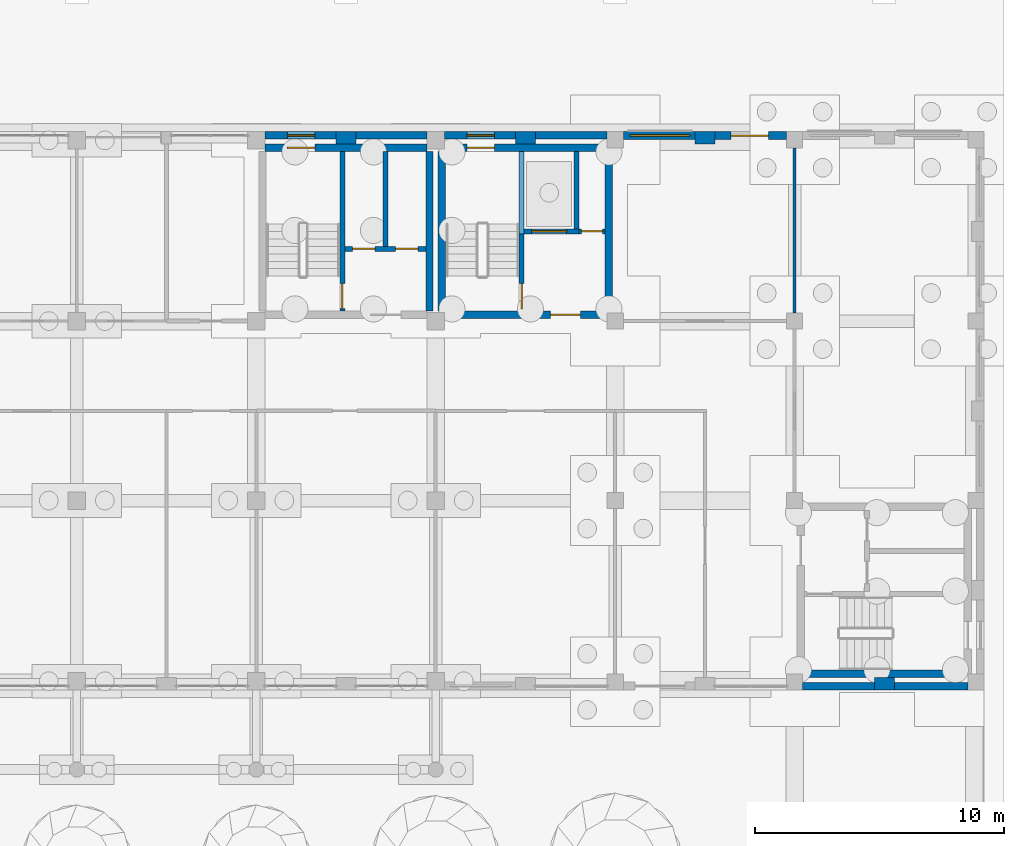
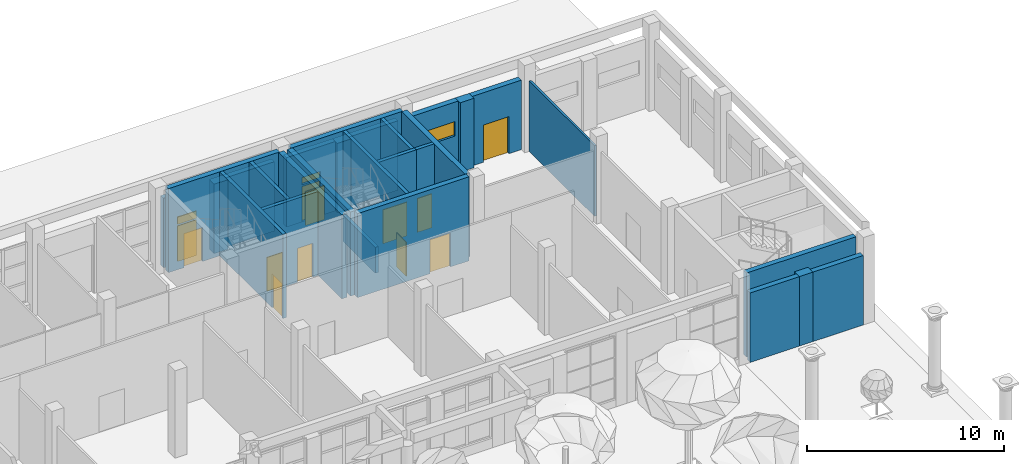
# One storey, part 52 of 80: 28 walls, 12 doors, 3 windows, 15 openings.
"""IFC4 building model written with IfcOpenShell, lengths in metres."""

from ifc_helpers import new_model, si_unit, direction, frame, frame_2d, origin, place, context, subcontext, project, spatial, rectangle, extrude, material, layer, layer_set, type_object, element, fill, save


model = new_model("IFC4")

# Units and contexts
model_context = context("Model", 3, precision=1e-05, world=origin(), true_north=direction((0.0, 1.0)))
body_context = subcontext(model_context, "Body", "Model", "MODEL_VIEW")
ifc_project = project(units=[si_unit("LENGTHUNIT", "METRE"), si_unit("AREAUNIT", "SQUARE_METRE"), si_unit("VOLUMEUNIT", "CUBIC_METRE"), si_unit("PLANEANGLEUNIT", "RADIAN"), si_unit("MASSUNIT", "GRAM", prefix="KILO")], contexts=[model_context])

# Site, building, storey
site_placement = place(None, origin())
site = spatial("IfcSite", under=ifc_project, at=site_placement, CompositionType="ELEMENT")
building_placement = place(site_placement, origin())
building = spatial("IfcBuilding", under=site, at=building_placement, Name="Ussher Court Research Institute", CompositionType="ELEMENT")
storey_placement = place(building_placement, origin())
storey = spatial("IfcBuildingStorey", under=building, at=storey_placement, Name="L00", CompositionType="ELEMENT", Elevation=0.0)

# Wall
ifc_material_1 = material(Name="Insulated sandwich wall panel")
ifc_layer_1 = layer(ifc_material_1, 0.1201171875)
ifc_layer_set_1 = layer_set([ifc_layer_1], Name="Insulated sandwich wall panel")
wall_type_1 = type_object("IfcWallType", Name="Clean-room panel 120 EI 60", PredefinedType="PARTITIONING", material=ifc_layer_set_1)
wall_1_placement = place(storey_placement, frame((96.60009765625, 83.52490234375, 0.0), z_axis=(0.0, 0.0, 1.0), x_axis=(0.0, 1.0, 0.0)))
element("IfcWall", 1, at=wall_1_placement, inside=storey, type_object=wall_type_1, Name="Fire partition", PredefinedType="PARTITIONING", context=body_context, shape_type="SweptSolid", body=[
    extrude(rectangle(XDim=6.625, YDim=0.1201171875, at=frame_2d((3.3125, 0.0))), origin(), (0.0, 0.0, 1.0), 4.3701171875),
])

# Wall, opening, window
ifc_material_2 = material(Name="Faience facing on insulated blockwork", Category="masonry")
ifc_layer_2 = layer(ifc_material_2, 0.320068359375)
ifc_layer_set_2 = layer_set([ifc_layer_2], Name="Faience facing on insulated blockwork")
wall_type_2 = type_object("IfcWallType", Name="Clean-room wall 320 faience faced insulated panel", PredefinedType="SOLIDWALL", material=ifc_layer_set_2)
wall_2_placement = place(storey_placement, frame((89.72509765625, 90.639892578125, 0.0), z_axis=(0.0, 0.0, 1.0), x_axis=(1.0, 0.0, 0.0)))
wall_2 = element("IfcWall", 2, at=wall_2_placement, inside=storey, type_object=wall_type_2, Name="External wall EW3 L00", PredefinedType="SOLIDWALL", context=body_context, shape_type="SweptSolid", body=[
    extrude(rectangle(XDim=2.875, YDim=0.320068359375, at=frame_2d((1.4375, 0.0))), origin(), (0.0, 0.0, 1.0), 4.300048828125),
])
opening_1_placement = place(wall_2_placement, frame((0.27490234375, 0.0, 2.199951171875)))
opening_1 = element("IfcOpeningElement", 3, at=opening_1_placement, cuts=wall_2, Name="Opening W11", PredefinedType="OPENING", context=body_context, shape_type="SweptSolid", body=[
    extrude(rectangle(XDim=2.39990234375, YDim=0.89990234375, at=frame_2d((1.199951171875, 0.449951171875))), frame((0.0, 0.169921875, 0.0), z_axis=(0.0, -1.0, 0.0), x_axis=(1.0, 0.0, 0.0)), (0.0, 0.0, 1.0), 0.340087890625),
])
ifc_material_3 = material(Name="Bronze anodised aluminium with double glazing", Category="aluminium")
window_type_1 = type_object("IfcWindowType", Name="Store high-level window 2400x900", PartitioningType="TRIPLE_PANEL_HORIZONTAL", PredefinedType="WINDOW", material=ifc_material_3)
window_1_placement = place(opening_1_placement, origin())
window_1 = element("IfcWindow", 4, at=window_1_placement, inside=storey, type_object=window_type_1, Name="Window W11 L00", OverallHeight=0.89990234375, OverallWidth=2.39990234375, PartitioningType="SINGLE_PANEL", PredefinedType="WINDOW", context=body_context, shape_type="SweptSolid", body=[
    extrude(rectangle(XDim=2.39990234375, YDim=0.89990234375, at=frame_2d((1.199951171875, 0.449951171875))), frame((0.0, 0.030029296875, 0.0), z_axis=(0.0, -1.0, 0.0), x_axis=(1.0, 0.0, 0.0)), (0.0, 0.0, 1.0), 0.06005859375),
])
fill(opening_1, window_1)

# Wall, opening, door
wall_3_placement = place(storey_placement, frame((93.39990234375, 90.639892578125, 0.0), z_axis=(0.0, 0.0, 1.0), x_axis=(1.0, 0.0, 0.0)))
wall_3 = element("IfcWall", 5, at=wall_3_placement, inside=storey, type_object=wall_type_2, Name="External wall EW3 L00", PredefinedType="SOLIDWALL", context=body_context, shape_type="SweptSolid", body=[
    extrude(rectangle(XDim=2.875, YDim=0.320068359375, at=frame_2d((1.4375, 0.0))), origin(), (0.0, 0.0, 1.0), 4.300048828125),
])
opening_2_placement = place(wall_3_placement, frame((0.64990234375, 0.0, 0.0)))
opening_2 = element("IfcOpeningElement", 6, at=opening_2_placement, cuts=wall_3, Name="Opening DX10", PredefinedType="OPENING", context=body_context, shape_type="SweptSolid", body=[
    extrude(rectangle(XDim=1.5, YDim=2.300048828125, at=frame_2d((0.75, 1.14990234375))), frame((0.0, 0.169921875, 0.0), z_axis=(0.0, -1.0, 0.0), x_axis=(1.0, 0.0, 0.0)), (0.0, 0.0, 1.0), 0.340087890625),
])
ifc_material_4 = material(Name="Stainless steel", Category="steel")
door_type_1 = type_object("IfcDoorType", Name="Clean-room goods door 1500x2300", OperationType="DOUBLE_DOOR_SINGLE_SWING", PredefinedType="DOOR", material=ifc_material_4)
door_1_placement = place(opening_2_placement, origin())
door_1 = element("IfcDoor", 7, at=door_1_placement, inside=storey, type_object=door_type_1, Name="Door DX10", OperationType="SINGLE_SWING_LEFT", OverallHeight=2.300048828125, OverallWidth=1.5, PredefinedType="DOOR", context=body_context, shape_type="SweptSolid", body=[
    extrude(rectangle(XDim=1.5, YDim=2.300048828125, at=frame_2d((0.75, 1.14990234375))), frame((0.0, 0.02490234375, 0.0), z_axis=(0.0, -1.0, 0.0), x_axis=(1.0, 0.0, 0.0)), (0.0, 0.0, 1.0), 0.050048828125),
])
fill(opening_2, door_1)

# Wall, openings, door, window
ifc_material_5 = material(Name="Limestone facing on blockwork", Category="masonry")
ifc_layer_3 = layer(ifc_material_5, 0.300048828125)
ifc_layer_set_3 = layer_set([ifc_layer_3], Name="Limestone facing on blockwork")
wall_type_3 = type_object("IfcWallType", Name="External wall 300 stair enclosure", PredefinedType="SOLIDWALL", material=ifc_layer_set_3)
wall_4_placement = place(storey_placement, frame((75.35009765625, 90.64990234375, 0.0), z_axis=(0.0, 0.0, 1.0), x_axis=(1.0, 0.0, 0.0)))
wall_4 = element("IfcWall", 8, at=wall_4_placement, inside=storey, type_object=wall_type_3, Name="External wall EW5 L00", PredefinedType="SOLIDWALL", context=body_context, shape_type="SweptSolid", body=[
    extrude(rectangle(XDim=2.849853515625, YDim=0.300048828125, at=frame_2d((1.4248046875, 0.0))), origin(), (0.0, 0.0, 1.0), 4.300048828125),
])
opening_3_placement = place(wall_4_placement, frame((0.89990234375, 0.0, 0.0)))
opening_3 = element("IfcOpeningElement", 9, at=opening_3_placement, cuts=wall_4, Name="Opening DX22", PredefinedType="OPENING", context=body_context, shape_type="SweptSolid", body=[
    extrude(rectangle(XDim=1.10009765625, YDim=2.199951171875, at=frame_2d((0.550048828125, 1.10009765625))), frame((0.0, 0.16015625, 0.0), z_axis=(0.0, -1.0, 0.0), x_axis=(1.0, 0.0, 0.0)), (0.0, 0.0, 1.0), 0.320068359375),
])
opening_4_placement = place(wall_4_placement, frame((0.89990234375, 0.0, 2.300048828125)))
opening_4 = element("IfcOpeningElement", 10, at=opening_4_placement, cuts=wall_4, Name="Opening W18", PredefinedType="OPENING", context=body_context, shape_type="SweptSolid", body=[
    extrude(rectangle(XDim=1.10009765625, YDim=0.449951171875, at=frame_2d((0.550048828125, 0.22509765625))), frame((0.0, 0.16015625, 0.0), z_axis=(0.0, -1.0, 0.0), x_axis=(1.0, 0.0, 0.0)), (0.0, 0.0, 1.0), 0.320068359375),
])
ifc_material_6 = material(Name="Painted steel", Category="steel")
door_type_2 = type_object("IfcDoorType", Name="Stair discharge door 1100x2200", OperationType="SINGLE_SWING_LEFT", PredefinedType="DOOR", material=ifc_material_6)
door_2_placement = place(opening_3_placement, origin())
door_2 = element("IfcDoor", 11, at=door_2_placement, inside=storey, type_object=door_type_2, Name="Door DX22", OperationType="SINGLE_SWING_LEFT", OverallHeight=2.199951171875, OverallWidth=1.10009765625, PredefinedType="DOOR", context=body_context, shape_type="SweptSolid", body=[
    extrude(rectangle(XDim=1.10009765625, YDim=2.199951171875, at=frame_2d((0.550048828125, 1.10009765625))), frame((0.0, 0.02490234375, 0.0), z_axis=(0.0, -1.0, 0.0), x_axis=(1.0, 0.0, 0.0)), (0.0, 0.0, 1.0), 0.050048828125),
])
fill(opening_3, door_2)
ifc_material_7 = material(Name="Bronze anodised aluminium with double glazing", Category="aluminium")
window_type_2 = type_object("IfcWindowType", Name="Stair discharge transom light 1100x450", PartitioningType="SINGLE_PANEL", PredefinedType="WINDOW", material=ifc_material_7)
window_2_placement = place(opening_4_placement, origin())
window_2 = element("IfcWindow", 12, at=window_2_placement, inside=storey, type_object=window_type_2, Name="Window W18 L00", OverallHeight=0.449951171875, OverallWidth=1.10009765625, PartitioningType="SINGLE_PANEL", PredefinedType="WINDOW", context=body_context, shape_type="SweptSolid", body=[
    extrude(rectangle(XDim=1.10009765625, YDim=0.449951171875, at=frame_2d((0.550048828125, 0.22509765625))), frame((0.0, 0.030029296875, 0.0), z_axis=(0.0, -1.0, 0.0), x_axis=(1.0, 0.0, 0.0)), (0.0, 0.0, 1.0), 0.06005859375),
])
fill(opening_4, window_2)

# Wall
wall_5_placement = place(storey_placement, frame((79.0, 90.64990234375, 0.0), z_axis=(0.0, 0.0, 1.0), x_axis=(1.0, 0.0, 0.0)))
element("IfcWall", 13, at=wall_5_placement, inside=storey, type_object=wall_type_3, Name="External wall EW5 L00", PredefinedType="SOLIDWALL", context=body_context, shape_type="SweptSolid", body=[
    extrude(rectangle(XDim=2.85009765625, YDim=0.300048828125, at=frame_2d((1.425048828125, 0.0))), origin(), (0.0, 0.0, 1.0), 4.300048828125),
])

# Wall, openings, door, window
wall_6_placement = place(storey_placement, frame((82.550048828125, 90.64990234375, 0.0), z_axis=(0.0, 0.0, 1.0), x_axis=(1.0, 0.0, 0.0)))
wall_6 = element("IfcWall", 14, at=wall_6_placement, inside=storey, type_object=wall_type_3, Name="External wall EW5 L00", PredefinedType="SOLIDWALL", context=body_context, shape_type="SweptSolid", body=[
    extrude(rectangle(XDim=2.849853515625, YDim=0.300048828125, at=frame_2d((1.4248046875, 0.0))), origin(), (0.0, 0.0, 1.0), 4.300048828125),
])
opening_5_placement = place(wall_6_placement, frame((0.89990234375, 0.0, 0.0)))
opening_5 = element("IfcOpeningElement", 15, at=opening_5_placement, cuts=wall_6, Name="Opening DX09", PredefinedType="OPENING", context=body_context, shape_type="SweptSolid", body=[
    extrude(rectangle(XDim=1.10009765625, YDim=2.199951171875, at=frame_2d((0.550048828125, 1.10009765625))), frame((0.0, 0.16015625, 0.0), z_axis=(0.0, -1.0, 0.0), x_axis=(1.0, 0.0, 0.0)), (0.0, 0.0, 1.0), 0.320068359375),
])
opening_6_placement = place(wall_6_placement, frame((0.89990234375, 0.0, 2.300048828125)))
opening_6 = element("IfcOpeningElement", 16, at=opening_6_placement, cuts=wall_6, Name="Opening W18", PredefinedType="OPENING", context=body_context, shape_type="SweptSolid", body=[
    extrude(rectangle(XDim=1.10009765625, YDim=0.449951171875, at=frame_2d((0.550048828125, 0.22509765625))), frame((0.0, 0.16015625, 0.0), z_axis=(0.0, -1.0, 0.0), x_axis=(1.0, 0.0, 0.0)), (0.0, 0.0, 1.0), 0.320068359375),
])
door_3_placement = place(opening_5_placement, origin())
door_3 = element("IfcDoor", 17, at=door_3_placement, inside=storey, type_object=door_type_2, Name="Door DX09", OperationType="SINGLE_SWING_LEFT", OverallHeight=2.199951171875, OverallWidth=1.10009765625, PredefinedType="DOOR", context=body_context, shape_type="SweptSolid", body=[
    extrude(rectangle(XDim=1.10009765625, YDim=2.199951171875, at=frame_2d((0.550048828125, 1.10009765625))), frame((0.0, 0.02490234375, 0.0), z_axis=(0.0, -1.0, 0.0), x_axis=(1.0, 0.0, 0.0)), (0.0, 0.0, 1.0), 0.050048828125),
])
fill(opening_5, door_3)
window_3_placement = place(opening_6_placement, origin())
window_3 = element("IfcWindow", 18, at=window_3_placement, inside=storey, type_object=window_type_2, Name="Window W18 L00", OverallHeight=0.449951171875, OverallWidth=1.10009765625, PartitioningType="SINGLE_PANEL", PredefinedType="WINDOW", context=body_context, shape_type="SweptSolid", body=[
    extrude(rectangle(XDim=1.10009765625, YDim=0.449951171875, at=frame_2d((0.550048828125, 0.22509765625))), frame((0.0, 0.030029296875, 0.0), z_axis=(0.0, -1.0, 0.0), x_axis=(1.0, 0.0, 0.0)), (0.0, 0.0, 1.0), 0.06005859375),
])
fill(opening_6, window_3)

# Walls
wall_7_placement = place(storey_placement, frame((86.199951171875, 90.64990234375, 0.0), z_axis=(0.0, 0.0, 1.0), x_axis=(1.0, 0.0, 0.0)))
element("IfcWall", 19, at=wall_7_placement, inside=storey, type_object=wall_type_3, Name="External wall EW5 L00", PredefinedType="SOLIDWALL", context=body_context, shape_type="SweptSolid", body=[
    extrude(rectangle(XDim=2.875, YDim=0.300048828125, at=frame_2d((1.4375, 0.0))), origin(), (0.0, 0.0, 1.0), 4.300048828125),
])
wall_8_placement = place(storey_placement, frame((103.550048828125, 68.550048828125, 0.0), z_axis=(0.0, 0.0, 1.0), x_axis=(-1.0, 0.0, 0.0)))
element("IfcWall", 20, at=wall_8_placement, inside=storey, type_object=wall_type_3, Name="External wall EW5 L00", PredefinedType="SOLIDWALL", context=body_context, shape_type="SweptSolid", body=[
    extrude(rectangle(XDim=2.949951171875, YDim=0.300048828125, at=frame_2d((1.47509765625, 0.0))), origin(), (0.0, 0.0, 1.0), 4.300048828125),
])
wall_9_placement = place(storey_placement, frame((99.800048828125, 68.550048828125, 0.0), z_axis=(0.0, 0.0, 1.0), x_axis=(-1.0, 0.0, 0.0)))
element("IfcWall", 21, at=wall_9_placement, inside=storey, type_object=wall_type_3, Name="External wall EW5 L00", PredefinedType="SOLIDWALL", context=body_context, shape_type="SweptSolid", body=[
    extrude(rectangle(XDim=2.875, YDim=0.300048828125, at=frame_2d((1.4375, 0.0))), origin(), (0.0, 0.0, 1.0), 4.300048828125),
])
ifc_material_8 = material(Name="Rusticated limestone facing on blockwork", Category="masonry")
ifc_layer_4 = layer(ifc_material_8, 0.5)
ifc_layer_set_4 = layer_set([ifc_layer_4], Name="Rusticated limestone facing on blockwork")
wall_type_4 = type_object("IfcWallType", Name="Pier 800x500 rusticated limestone", PredefinedType="SOLIDWALL", material=ifc_layer_set_4)
for number, where, z_axis, x_axis, name in (
    (22, (78.199951171875, 90.550048828125, 0.0), (0.0, 0.0, 1.0), (1.0, 0.0, 0.0), "Pier PR2 L00"),
    (23, (85.39990234375, 90.550048828125, 0.0), (0.0, 0.0, 1.0), (1.0, 0.0, 0.0), "Pier PR2 L00"),
):
    element("IfcWall", number, at=place(storey_placement, frame(where, z_axis=z_axis, x_axis=x_axis)), inside=storey, type_object=wall_type_4, Name=name, PredefinedType="SOLIDWALL", context=body_context, shape_type="SweptSolid", body=[
        extrude(rectangle(XDim=0.800048828125, YDim=0.5, at=frame_2d((0.39990234375, 0.0))), origin(), (0.0, 0.0, 1.0), 4.300048828125),
    ])
wall_10_placement = place(storey_placement, frame((92.60009765625, 90.550048828125, 0.0), z_axis=(0.0, 0.0, 1.0), x_axis=(1.0, 0.0, 0.0)))
element("IfcWall", 24, at=wall_10_placement, inside=storey, type_object=wall_type_4, Name="Pier PR2 L00", PredefinedType="SOLIDWALL", context=body_context, shape_type="SweptSolid", body=[
    extrude(rectangle(XDim=0.7998046875, YDim=0.5, at=frame_2d((0.39990234375, 0.0))), origin(), (0.0, 0.0, 1.0), 4.300048828125),
])
wall_11_placement = place(storey_placement, frame((100.60009765625, 68.64990234375, 0.0), z_axis=(0.0, 0.0, 1.0), x_axis=(-1.0, 0.0, 0.0)))
element("IfcWall", 25, at=wall_11_placement, inside=storey, type_object=wall_type_4, Name="Pier PR2 L00", PredefinedType="SOLIDWALL", context=body_context, shape_type="SweptSolid", body=[
    extrude(rectangle(XDim=0.800048828125, YDim=0.5, at=frame_2d((0.39990234375, 0.0))), origin(), (0.0, 0.0, 1.0), 4.300048828125),
])

# Wall, opening, door
ifc_material_9 = material(Name="Concrete C35/45", Category="concrete")
ifc_layer_5 = layer(ifc_material_9, 0.199951171875)
ifc_layer_set_5 = layer_set([ifc_layer_5], Name="Concrete C35/45")
wall_type_5 = type_object("IfcWallType", Name="RC core wall 200", PredefinedType="SHEAR", material=ifc_layer_set_5)
wall_12_placement = place(storey_placement, frame((85.64990234375, 90.0, 0.0), z_axis=(0.0, 0.0, 1.0), x_axis=(0.0, -1.0, 0.0)))
wall_12 = element("IfcWall", 26, at=wall_12_placement, inside=storey, type_object=wall_type_5, Name="Core wall C1", PredefinedType="SHEAR", context=body_context, shape_type="SweptSolid", body=[
    extrude(rectangle(XDim=6.39990234375, YDim=0.199951171875, at=frame_2d((3.199951171875, 0.0))), origin(), (0.0, 0.0, 1.0), 5.199951171875),
])
opening_7_placement = place(wall_12_placement, frame((5.300048828125, 0.0, 0.0)))
opening_7 = element("IfcOpeningElement", 27, at=opening_7_placement, cuts=wall_12, Name="Opening D00072", PredefinedType="OPENING", context=body_context, shape_type="SweptSolid", body=[
    extrude(rectangle(XDim=1.0, YDim=2.10009765625, at=frame_2d((0.5, 1.050048828125))), frame((0.0, 0.10986328125, 0.0), z_axis=(0.0, -1.0, 0.0), x_axis=(1.0, 0.0, 0.0)), (0.0, 0.0, 1.0), 0.219970703125),
])
ifc_material_10 = material(Name="Painted steel faced fire door", Category="steel")
door_type_3 = type_object("IfcDoorType", Name="Fire door 1000x2100 FD60", OperationType="NOTDEFINED", PredefinedType="DOOR", material=ifc_material_10)
door_4_placement = place(opening_7_placement, origin())
door_4 = element("IfcDoor", 28, at=door_4_placement, inside=storey, type_object=door_type_3, Name="Door D00072", OperationType="SINGLE_SWING_RIGHT", OverallHeight=2.10009765625, OverallWidth=1.0, PredefinedType="DOOR", context=body_context, shape_type="SweptSolid", body=[
    extrude(rectangle(XDim=1.0, YDim=2.10009765625, at=frame_2d((0.5, 1.050048828125))), frame((0.0, 0.02490234375, 0.0), z_axis=(0.0, -1.0, 0.0), x_axis=(1.0, 0.0, 0.0)), (0.0, 0.0, 1.0), 0.050048828125),
])
fill(opening_7, door_4)

# Wall
wall_13_placement = place(storey_placement, frame((85.64990234375, 86.699951171875, -1.60009765625), z_axis=(0.0, 0.0, 1.0), x_axis=(0.0, 1.0, 0.0)))
element("IfcWall", 29, at=wall_13_placement, inside=storey, type_object=wall_type_5, Name="Pit wall C1", PredefinedType="SHEAR", context=body_context, shape_type="SweptSolid", body=[
    extrude(rectangle(XDim=3.300048828125, YDim=0.199951171875, at=frame_2d((1.64990234375, 0.0))), origin(), (0.0, 0.0, 1.0), 1.60009765625),
])

# Wall, opening, door
wall_14_placement = place(storey_placement, frame((87.949951171875, 86.800048828125, -1.60009765625), z_axis=(0.0, 0.0, 1.0), x_axis=(-1.0, 0.0, 0.0)))
wall_14 = element("IfcWall", 30, at=wall_14_placement, inside=storey, type_object=wall_type_5, Name="Core wall C1", PredefinedType="SHEAR", context=body_context, shape_type="SweptSolid", body=[
    extrude(rectangle(XDim=2.199951171875, YDim=0.199951171875, at=frame_2d((1.10009765625, 0.0))), origin(), (0.0, 0.0, 1.0), 6.800048828125),
])
opening_8_placement = place(wall_14_placement, frame((0.5, 0.0, 1.60009765625)))
opening_8 = element("IfcOpeningElement", 31, at=opening_8_placement, cuts=wall_14, Name="Opening LD10", PredefinedType="OPENING", context=body_context, shape_type="SweptSolid", body=[
    extrude(rectangle(XDim=1.39990234375, YDim=2.10009765625, at=frame_2d((0.699951171875, 1.050048828125))), frame((0.0, 0.10986328125, 0.0), z_axis=(0.0, -1.0, 0.0), x_axis=(1.0, 0.0, 0.0)), (0.0, 0.0, 1.0), 0.219970703125),
])
ifc_material_11 = material(Name="Stainless steel lift door", Category="steel")
door_type_4 = type_object("IfcDoorType", Name="Lift landing door 1400x2100 sliding", OperationType="DOUBLE_DOOR_SLIDING", PredefinedType="DOOR", material=ifc_material_11)
door_5_placement = place(opening_8_placement, origin())
door_5 = element("IfcDoor", 32, at=door_5_placement, inside=storey, type_object=door_type_4, Name="Landing door C1-1 L00", OperationType="DOUBLE_DOOR_SLIDING", OverallHeight=2.10009765625, OverallWidth=1.39990234375, PredefinedType="DOOR", context=body_context, shape_type="SweptSolid", body=[
    extrude(rectangle(XDim=1.39990234375, YDim=2.10009765625, at=frame_2d((0.699951171875, 1.050048828125))), frame((0.0, 0.02490234375, 0.0), z_axis=(0.0, -1.0, 0.0), x_axis=(1.0, 0.0, 0.0)), (0.0, 0.0, 1.0), 0.050048828125),
])
fill(opening_8, door_5)

wall_15_placement = place(storey_placement, frame((89.0, 86.800048828125, 0.0), z_axis=(0.0, 0.0, 1.0), x_axis=(-1.0, 0.0, 0.0)))
wall_15 = element("IfcWall", 33, at=wall_15_placement, inside=storey, type_object=wall_type_5, Name="Core wall C1", PredefinedType="SHEAR", context=body_context, shape_type="SweptSolid", body=[
    extrude(rectangle(XDim=1.050048828125, YDim=0.199951171875, at=frame_2d((0.52490234375, 0.0))), origin(), (0.0, 0.0, 1.0), 5.199951171875),
])
opening_9_placement = place(wall_15_placement, frame((0.10009765625, 0.0, 0.0)))
opening_9 = element("IfcOpeningElement", 34, at=opening_9_placement, cuts=wall_15, Name="Opening D00082", PredefinedType="OPENING", context=body_context, shape_type="SweptSolid", body=[
    extrude(rectangle(XDim=0.85009765625, YDim=2.10009765625, at=frame_2d((0.425048828125, 1.050048828125))), frame((0.0, 0.10986328125, 0.0), z_axis=(0.0, -1.0, 0.0), x_axis=(1.0, 0.0, 0.0)), (0.0, 0.0, 1.0), 0.219970703125),
])
ifc_material_12 = material(Name="Painted steel faced fire door", Category="steel")
door_type_5 = type_object("IfcDoorType", Name="Fire door 850x2100 FD60", OperationType="NOTDEFINED", PredefinedType="DOOR", material=ifc_material_12)
door_6_placement = place(opening_9_placement, origin())
door_6 = element("IfcDoor", 35, at=door_6_placement, inside=storey, type_object=door_type_5, Name="Door D00082", OperationType="SINGLE_SWING_RIGHT", OverallHeight=2.10009765625, OverallWidth=0.85009765625, PredefinedType="DOOR", context=body_context, shape_type="SweptSolid", body=[
    extrude(rectangle(XDim=0.85009765625, YDim=2.10009765625, at=frame_2d((0.425048828125, 1.050048828125))), frame((0.0, 0.02490234375, 0.0), z_axis=(0.0, -1.0, 0.0), x_axis=(1.0, 0.0, 0.0)), (0.0, 0.0, 1.0), 0.050048828125),
])
fill(opening_9, door_6)

# Wall
wall_16_placement = place(storey_placement, frame((87.85009765625, 86.89990234375, -1.60009765625), z_axis=(0.0, 0.0, 1.0), x_axis=(0.0, 1.0, 0.0)))
element("IfcWall", 36, at=wall_16_placement, inside=storey, type_object=wall_type_5, Name="Core wall C1", PredefinedType="SHEAR", context=body_context, shape_type="SweptSolid", body=[
    extrude(rectangle(XDim=3.10009765625, YDim=0.199951171875, at=frame_2d((1.550048828125, 0.0))), origin(), (0.0, 0.0, 1.0), 6.800048828125),
])

# Wall, opening, door
wall_17_placement = place(storey_placement, frame((78.449951171875, 90.0, 0.0), z_axis=(0.0, 0.0, 1.0), x_axis=(0.0, -1.0, 0.0)))
wall_17 = element("IfcWall", 37, at=wall_17_placement, inside=storey, type_object=wall_type_5, Name="Core wall D3", PredefinedType="SHEAR", context=body_context, shape_type="SweptSolid", body=[
    extrude(rectangle(XDim=6.39990234375, YDim=0.199951171875, at=frame_2d((3.199951171875, 0.0))), origin(), (0.0, 0.0, 1.0), 5.199951171875),
])
opening_10_placement = place(wall_17_placement, frame((5.300048828125, 0.0, 0.0)))
opening_10 = element("IfcOpeningElement", 38, at=opening_10_placement, cuts=wall_17, Name="Opening D00063", PredefinedType="OPENING", context=body_context, shape_type="SweptSolid", body=[
    extrude(rectangle(XDim=1.0, YDim=2.10009765625, at=frame_2d((0.5, 1.050048828125))), frame((0.0, 0.10986328125, 0.0), z_axis=(0.0, -1.0, 0.0), x_axis=(1.0, 0.0, 0.0)), (0.0, 0.0, 1.0), 0.219970703125),
])
door_7_placement = place(opening_10_placement, origin())
door_7 = element("IfcDoor", 39, at=door_7_placement, inside=storey, type_object=door_type_3, Name="Door D00063", OperationType="SINGLE_SWING_RIGHT", OverallHeight=2.10009765625, OverallWidth=1.0, PredefinedType="DOOR", context=body_context, shape_type="SweptSolid", body=[
    extrude(rectangle(XDim=1.0, YDim=2.10009765625, at=frame_2d((0.5, 1.050048828125))), frame((0.0, 0.02490234375, 0.0), z_axis=(0.0, -1.0, 0.0), x_axis=(1.0, 0.0, 0.0)), (0.0, 0.0, 1.0), 0.050048828125),
])
fill(opening_10, door_7)

# Wall, openings, doors
wall_18_placement = place(storey_placement, frame((81.800048828125, 86.10009765625, 0.0), z_axis=(0.0, 0.0, 1.0), x_axis=(-1.0, 0.0, 0.0)))
wall_18 = element("IfcWall", 40, at=wall_18_placement, inside=storey, type_object=wall_type_5, Name="Core wall D3", PredefinedType="SHEAR", context=body_context, shape_type="SweptSolid", body=[
    extrude(rectangle(XDim=3.25, YDim=0.199951171875, at=frame_2d((1.625, 0.0))), origin(), (0.0, 0.0, 1.0), 5.199951171875),
])
opening_11_placement = place(wall_18_placement, frame((2.03759765625, 0.0, 0.0)))
opening_11 = element("IfcOpeningElement", 41, at=opening_11_placement, cuts=wall_18, Name="Opening D00065", PredefinedType="OPENING", context=body_context, shape_type="SweptSolid", body=[
    extrude(rectangle(XDim=0.89990234375, YDim=2.10009765625, at=frame_2d((0.449951171875, 1.050048828125))), frame((0.0, 0.10986328125, 0.0), z_axis=(0.0, -1.0, 0.0), x_axis=(1.0, 0.0, 0.0)), (0.0, 0.0, 1.0), 0.219970703125),
])
opening_12_placement = place(wall_18_placement, frame((0.3125, 0.0, 0.0)))
opening_12 = element("IfcOpeningElement", 42, at=opening_12_placement, cuts=wall_18, Name="Opening D00068", PredefinedType="OPENING", context=body_context, shape_type="SweptSolid", body=[
    extrude(rectangle(XDim=0.89990234375, YDim=2.10009765625, at=frame_2d((0.449951171875, 1.050048828125))), frame((0.0, 0.10986328125, 0.0), z_axis=(0.0, -1.0, 0.0), x_axis=(1.0, 0.0, 0.0)), (0.0, 0.0, 1.0), 0.219970703125),
])
ifc_material_13 = material(Name="Painted steel faced fire door", Category="steel")
door_type_6 = type_object("IfcDoorType", Name="Fire door 900x2100 FD60", OperationType="NOTDEFINED", PredefinedType="DOOR", material=ifc_material_13)
door_8_placement = place(opening_11_placement, origin())
door_8 = element("IfcDoor", 43, at=door_8_placement, inside=storey, type_object=door_type_6, Name="Door D00065", OperationType="SINGLE_SWING_RIGHT", OverallHeight=2.10009765625, OverallWidth=0.89990234375, PredefinedType="DOOR", context=body_context, shape_type="SweptSolid", body=[
    extrude(rectangle(XDim=0.89990234375, YDim=2.10009765625, at=frame_2d((0.449951171875, 1.050048828125))), frame((0.0, 0.02490234375, 0.0), z_axis=(0.0, -1.0, 0.0), x_axis=(1.0, 0.0, 0.0)), (0.0, 0.0, 1.0), 0.050048828125),
])
fill(opening_11, door_8)
door_9_placement = place(opening_12_placement, origin())
door_9 = element("IfcDoor", 44, at=door_9_placement, inside=storey, type_object=door_type_6, Name="Door D00068", OperationType="SINGLE_SWING_LEFT", OverallHeight=2.10009765625, OverallWidth=0.89990234375, PredefinedType="DOOR", context=body_context, shape_type="SweptSolid", body=[
    extrude(rectangle(XDim=0.89990234375, YDim=2.10009765625, at=frame_2d((0.449951171875, 1.050048828125))), frame((0.0, 0.02490234375, 0.0), z_axis=(0.0, -1.0, 0.0), x_axis=(1.0, 0.0, 0.0)), (0.0, 0.0, 1.0), 0.050048828125),
])
fill(opening_12, door_9)

# Wall
wall_19_placement = place(storey_placement, frame((80.175048828125, 86.199951171875, 0.0), z_axis=(0.0, 0.0, 1.0), x_axis=(0.0, 1.0, 0.0)))
element("IfcWall", 45, at=wall_19_placement, inside=storey, type_object=wall_type_5, Name="Core wall D3", PredefinedType="SHEAR", context=body_context, shape_type="SweptSolid", body=[
    extrude(rectangle(XDim=3.800048828125, YDim=0.199951171875, at=frame_2d((1.89990234375, 0.0))), origin(), (0.0, 0.0, 1.0), 5.199951171875),
])

# Wall, opening, door
ifc_material_14 = material(Name="Concrete C35/45", Category="concrete")
ifc_layer_6 = layer(ifc_material_14, 0.300048828125)
ifc_layer_set_6 = layer_set([ifc_layer_6], Name="Concrete C35/45")
wall_type_6 = type_object("IfcWallType", Name="RC core wall 300", PredefinedType="SHEAR", material=ifc_layer_set_6)
wall_20_placement = place(storey_placement, frame((82.550048828125, 83.449951171875, 0.0), z_axis=(0.0, 0.0, 1.0), x_axis=(1.0, 0.0, 0.0)))
wall_20 = element("IfcWall", 46, at=wall_20_placement, inside=storey, type_object=wall_type_6, Name="Core wall C1", PredefinedType="SHEAR", context=body_context, shape_type="SweptSolid", body=[
    extrude(rectangle(XDim=6.52490234375, YDim=0.300048828125, at=frame_2d((3.262451171875, 0.0))), origin(), (0.0, 0.0, 1.0), 5.199951171875),
])
opening_13_placement = place(wall_20_placement, frame((4.25, 0.0, 0.0)))
opening_13 = element("IfcOpeningElement", 47, at=opening_13_placement, cuts=wall_20, Name="Opening D00080", PredefinedType="OPENING", context=body_context, shape_type="SweptSolid", body=[
    extrude(rectangle(XDim=1.199951171875, YDim=2.10009765625, at=frame_2d((0.60009765625, 1.050048828125))), frame((0.0, 0.16015625, 0.0), z_axis=(0.0, -1.0, 0.0), x_axis=(1.0, 0.0, 0.0)), (0.0, 0.0, 1.0), 0.320068359375),
])
ifc_material_15 = material(Name="Painted steel faced fire door", Category="steel")
door_type_7 = type_object("IfcDoorType", Name="Fire door 1200x2100 FD60", OperationType="NOTDEFINED", PredefinedType="DOOR", material=ifc_material_15)
door_10_placement = place(opening_13_placement, origin())
door_10 = element("IfcDoor", 48, at=door_10_placement, inside=storey, type_object=door_type_7, Name="Door D00080", OperationType="SINGLE_SWING_RIGHT", OverallHeight=2.10009765625, OverallWidth=1.199951171875, PredefinedType="DOOR", context=body_context, shape_type="SweptSolid", body=[
    extrude(rectangle(XDim=1.199951171875, YDim=2.10009765625, at=frame_2d((0.60009765625, 1.050048828125))), frame((0.0, 0.02490234375, 0.0), z_axis=(0.0, -1.0, 0.0), x_axis=(1.0, 0.0, 0.0)), (0.0, 0.0, 1.0), 0.050048828125),
])
fill(opening_13, door_10)

wall_21_placement = place(storey_placement, frame((82.550048828125, 90.14990234375, 0.0), z_axis=(0.0, 0.0, 1.0), x_axis=(1.0, 0.0, 0.0)))
wall_21 = element("IfcWall", 49, at=wall_21_placement, inside=storey, type_object=wall_type_6, Name="Core wall C1", PredefinedType="SHEAR", context=body_context, shape_type="SweptSolid", body=[
    extrude(rectangle(XDim=6.52490234375, YDim=0.300048828125, at=frame_2d((3.262451171875, 0.0))), origin(), (0.0, 0.0, 1.0), 5.199951171875),
])
opening_14_placement = place(wall_21_placement, frame((0.89990234375, 0.0, 0.0)))
opening_14 = element("IfcOpeningElement", 50, at=opening_14_placement, cuts=wall_21, Name="Opening D00071", PredefinedType="OPENING", context=body_context, shape_type="SweptSolid", body=[
    extrude(rectangle(XDim=1.10009765625, YDim=2.10009765625, at=frame_2d((0.550048828125, 1.050048828125))), frame((0.0, 0.16015625, 0.0), z_axis=(0.0, -1.0, 0.0), x_axis=(1.0, 0.0, 0.0)), (0.0, 0.0, 1.0), 0.320068359375),
])
ifc_material_16 = material(Name="Painted steel faced fire door", Category="steel")
door_type_8 = type_object("IfcDoorType", Name="Fire door 1100x2100 FD60", OperationType="NOTDEFINED", PredefinedType="DOOR", material=ifc_material_16)
door_11_placement = place(opening_14_placement, origin())
door_11 = element("IfcDoor", 51, at=door_11_placement, inside=storey, type_object=door_type_8, Name="Door D00071", OperationType="SINGLE_SWING_LEFT", OverallHeight=2.10009765625, OverallWidth=1.10009765625, PredefinedType="DOOR", context=body_context, shape_type="SweptSolid", body=[
    extrude(rectangle(XDim=1.10009765625, YDim=2.10009765625, at=frame_2d((0.550048828125, 1.050048828125))), frame((0.0, 0.02490234375, 0.0), z_axis=(0.0, -1.0, 0.0), x_axis=(1.0, 0.0, 0.0)), (0.0, 0.0, 1.0), 0.050048828125),
])
fill(opening_14, door_11)

# Walls
for number, where, z_axis, x_axis, name in (
    (52, (82.449951171875, 83.60009765625, 0.0), (0.0, 0.0, 1.0), (0.0, 1.0, 0.0), "Core wall C1"),
    (53, (89.14990234375, 83.60009765625, 0.0), (0.0, 0.0, 1.0), (0.0, 1.0, 0.0), "Core wall C1"),
    (54, (97.0, 69.050048828125, 0.0), (0.0, 0.0, 1.0), (1.0, 0.0, 0.0), "Core wall C2"),
):
    element("IfcWall", number, at=place(storey_placement, frame(where, z_axis=z_axis, x_axis=x_axis)), inside=storey, type_object=wall_type_6, Name=name, PredefinedType="SHEAR", context=body_context, shape_type="SweptSolid", body=[
        extrude(rectangle(XDim=6.39990234375, YDim=0.300048828125, at=frame_2d((3.199951171875, 0.0))), origin(), (0.0, 0.0, 1.0), 5.199951171875),
    ])

# Wall, opening, door
wall_22_placement = place(storey_placement, frame((75.35009765625, 90.14990234375, 0.0), z_axis=(0.0, 0.0, 1.0), x_axis=(1.0, 0.0, 0.0)))
wall_22 = element("IfcWall", 55, at=wall_22_placement, inside=storey, type_object=wall_type_6, Name="Core wall D3", PredefinedType="SHEAR", context=body_context, shape_type="SweptSolid", body=[
    extrude(rectangle(XDim=6.5, YDim=0.300048828125, at=frame_2d((3.25, 0.0))), origin(), (0.0, 0.0, 1.0), 5.199951171875),
])
opening_15_placement = place(wall_22_placement, frame((0.89990234375, 0.0, 0.0)))
opening_15 = element("IfcOpeningElement", 56, at=opening_15_placement, cuts=wall_22, Name="Opening D00061", PredefinedType="OPENING", context=body_context, shape_type="SweptSolid", body=[
    extrude(rectangle(XDim=1.10009765625, YDim=2.10009765625, at=frame_2d((0.550048828125, 1.050048828125))), frame((0.0, 0.16015625, 0.0), z_axis=(0.0, -1.0, 0.0), x_axis=(1.0, 0.0, 0.0)), (0.0, 0.0, 1.0), 0.320068359375),
])
door_12_placement = place(opening_15_placement, origin())
door_12 = element("IfcDoor", 57, at=door_12_placement, inside=storey, type_object=door_type_8, Name="Door D00061", OperationType="SINGLE_SWING_LEFT", OverallHeight=2.10009765625, OverallWidth=1.10009765625, PredefinedType="DOOR", context=body_context, shape_type="SweptSolid", body=[
    extrude(rectangle(XDim=1.10009765625, YDim=2.10009765625, at=frame_2d((0.550048828125, 1.050048828125))), frame((0.0, 0.02490234375, 0.0), z_axis=(0.0, -1.0, 0.0), x_axis=(1.0, 0.0, 0.0)), (0.0, 0.0, 1.0), 0.050048828125),
])
fill(opening_15, door_12)

# Wall
wall_23_placement = place(storey_placement, frame((81.949951171875, 83.60009765625, 0.0), z_axis=(0.0, 0.0, 1.0), x_axis=(0.0, 1.0, 0.0)))
element("IfcWall", 58, at=wall_23_placement, inside=storey, type_object=wall_type_6, Name="Core wall D3", PredefinedType="SHEAR", context=body_context, shape_type="SweptSolid", body=[
    extrude(rectangle(XDim=6.39990234375, YDim=0.300048828125, at=frame_2d((3.199951171875, 0.0))), origin(), (0.0, 0.0, 1.0), 5.199951171875),
])

save(model, "model.ifc")
